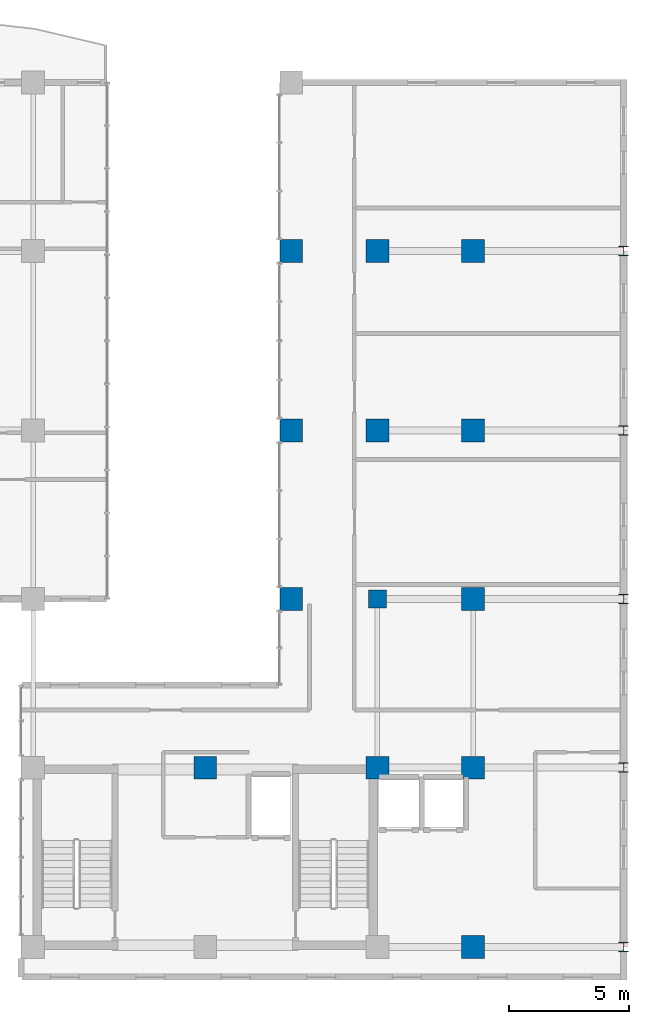
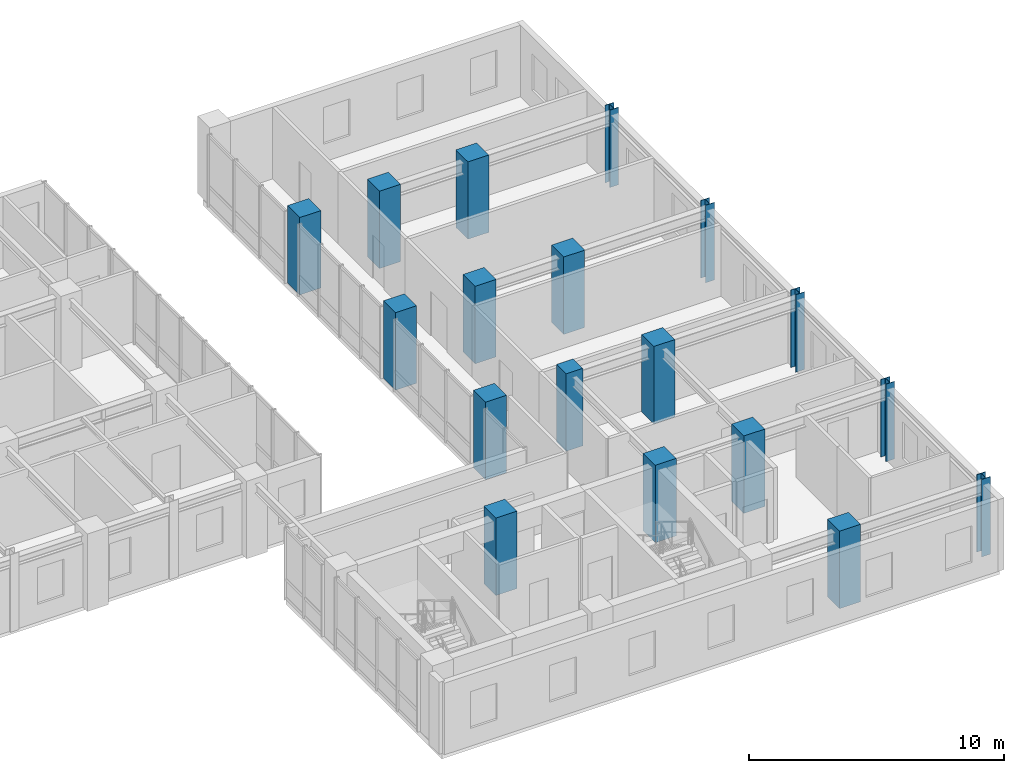
# One storey, part 2 of 24: 18 columns.
"""IFC4 building model written with IfcOpenShell, lengths in metres."""

from ifc_helpers import new_model, si_unit, direction, frame, origin, origin_2d, place, context, subcontext, project, spatial, rectangle, i_section, extrude, source, transform, mapped, material, material_profile, profile_set, type_object, element, save


model = new_model("IFC4")

# Units and contexts
model_context = context("Model", 3, precision=1e-05, world=origin(), true_north=direction((0.0, 1.0)))
body_context = subcontext(model_context, "Body", "Model", "MODEL_VIEW")
ifc_project = project(units=[si_unit("LENGTHUNIT", "METRE"), si_unit("AREAUNIT", "SQUARE_METRE"), si_unit("VOLUMEUNIT", "CUBIC_METRE"), si_unit("PLANEANGLEUNIT", "RADIAN"), si_unit("MASSUNIT", "GRAM", prefix="KILO")], contexts=[model_context])

# Site, building, storey
site_placement = place(None, origin())
site = spatial("IfcSite", under=ifc_project, at=site_placement, CompositionType="ELEMENT")
building_placement = place(site_placement, origin())
building = spatial("IfcBuilding", under=site, at=building_placement, Name="Kaliganga Portal Commons", CompositionType="ELEMENT")
storey_placement = place(building_placement, frame((0.0, 0.0, 238.800048828125)))
storey = spatial("IfcBuildingStorey", under=building, at=storey_placement, Name="L61", CompositionType="ELEMENT", Elevation=238.800048828125)

# Columns
ifc_material_1 = material(Name="Concrete C60/75", Category="concrete")
ifc_material_profile_1 = material_profile(ifc_material_1, rectangle(XDim=0.75, YDim=0.75, at=origin_2d()), Name="RC 750x750")
ifc_profile_set_1 = profile_set([ifc_material_profile_1], Name="Concrete C60/75")
column_type_1 = type_object("IfcColumnType", Name="COL-PILASTER-RC", PredefinedType="PILASTER", material=ifc_profile_set_1)
shared_shape_1 = source(origin(), body_context, "Body", "SweptSolid", [
    extrude(rectangle(XDim=0.75, YDim=0.75, at=origin_2d()), origin(), (0.0, 0.0, 1.0), 3.699951171875),
])
column_placement = place(storey_placement, frame((50.39990234375, 21.60009765625, 0.0), z_axis=(0.0, 0.0, 1.0), x_axis=(1.0, 0.0, 0.0)))
element("IfcColumn", 1, at=column_placement, inside=storey, type_object=column_type_1, Name="Column CP-01 L61", PredefinedType="PILASTER", context=body_context, shape_type="MappedRepresentation", body=[
    mapped(shared_shape_1, transform((0.0, 0.0, 0.0), x_axis=(1.0, 0.0, 0.0), y_axis=(0.0, 1.0, 0.0), z_axis=(0.0, 0.0, 1.0), scale=1.0)),
])
ifc_material_2 = material(Name="Concrete C50/60", Category="concrete")
ifc_material_profile_2 = material_profile(ifc_material_2, rectangle(XDim=0.949951171875, YDim=0.949951171875, at=origin_2d()), Name="RC 950x950")
ifc_profile_set_2 = profile_set([ifc_material_profile_2], Name="Concrete C50/60")
column_type_2 = type_object("IfcColumnType", Name="COL-MEGA-Z4", PredefinedType="COLUMN", material=ifc_profile_set_2)
shared_shape_2 = source(origin(), body_context, "Body", "SweptSolid", [
    extrude(rectangle(XDim=0.949951171875, YDim=0.949951171875, at=origin_2d()), origin(), (0.0, 0.0, 1.0), 3.699951171875),
])
for number, where, z_axis, x_axis, name in (
    (2, (46.800048828125, 21.60009765625, 0.0), (0.0, 0.0, 1.0), (1.0, 0.0, 0.0), "Column MC-05 L61"),
    (3, (46.800048828125, 28.64990234375, 0.0), (0.0, 0.0, 1.0), (1.0, 0.0, 0.0), "Column MC-05 L61"),
    (4, (46.800048828125, 36.14990234375, 0.0), (0.0, 0.0, 1.0), (1.0, 0.0, 0.0), "Column MC-05 L61"),
    (5, (43.199951171875, 14.550048828125, 0.0), (0.0, 0.0, 1.0), (1.0, 0.0, 0.0), "Column MC-05 L61"),
    (6, (50.39990234375, 14.550048828125, 0.0), (0.0, 0.0, 1.0), (1.0, 0.0, 0.0), "Column MC-05 L61"),
    (7, (50.39990234375, 28.64990234375, 0.0), (0.0, 0.0, 1.0), (1.0, 0.0, 0.0), "Column MC-05 L61"),
    (8, (50.39990234375, 36.14990234375, 0.0), (0.0, 0.0, 1.0), (1.0, 0.0, 0.0), "Column MC-05 L61"),
    (9, (54.39990234375, 7.050048828125, 0.0), (0.0, 0.0, 1.0), (1.0, 0.0, 0.0), "Column MC-05 L61"),
    (10, (54.39990234375, 14.550048828125, 0.0), (0.0, 0.0, 1.0), (1.0, 0.0, 0.0), "Column MC-05 L61"),
    (11, (54.39990234375, 21.60009765625, 0.0), (0.0, 0.0, 1.0), (1.0, 0.0, 0.0), "Column MC-05 L61"),
    (12, (54.39990234375, 28.64990234375, 0.0), (0.0, 0.0, 1.0), (1.0, 0.0, 0.0), "Column MC-05 L61"),
    (13, (54.39990234375, 36.14990234375, 0.0), (0.0, 0.0, 1.0), (1.0, 0.0, 0.0), "Column MC-05 L61"),
):
    element("IfcColumn", number, at=place(storey_placement, frame(where, z_axis=z_axis, x_axis=x_axis)), inside=storey, type_object=column_type_2, Name=name, PredefinedType="COLUMN", context=body_context, shape_type="MappedRepresentation", body=[
        mapped(shared_shape_2, transform((0.0, 0.0, 0.0), x_axis=(1.0, 0.0, 0.0), y_axis=(0.0, 1.0, 0.0), z_axis=(0.0, 0.0, 1.0), scale=1.0)),
    ])
ifc_material_3 = material(Name="Structural steel S355J2", Category="steel")
ifc_material_profile_3 = material_profile(ifc_material_3, i_section(OverallWidth=0.39892578125, OverallDepth=0.39990234375, WebThickness=0.017333984375, FlangeThickness=0.0234375, FilletRadius=0.014892578125, at=origin_2d()), Name="HD 400x287")
ifc_profile_set_3 = profile_set([ifc_material_profile_3], Name="Structural steel S355J2 wide-flange")
column_type_3 = type_object("IfcColumnType", Name="COL-TUBE-B4", PredefinedType="COLUMN", material=ifc_profile_set_3)
shared_shape_3 = source(origin(), body_context, "Body", "SweptSolid", [
    extrude(i_section(OverallWidth=0.39892578125, OverallDepth=0.39990234375, WebThickness=0.017333984375, FlangeThickness=0.0234375, FilletRadius=0.014892578125, at=origin_2d()), origin(), (0.0, 0.0, 1.0), 3.699951171875),
])
for number, where, z_axis, x_axis, name in (
    (14, (60.699951171875, 7.050048828125, 0.0), (0.0, 0.0, 1.0), (1.0, 0.0, 0.0), "Column TC-04 L61"),
    (15, (60.699951171875, 14.550048828125, 0.0), (0.0, 0.0, 1.0), (1.0, 0.0, 0.0), "Column TC-04 L61"),
    (16, (60.699951171875, 21.60009765625, 0.0), (0.0, 0.0, 1.0), (1.0, 0.0, 0.0), "Column TC-04 L61"),
    (17, (60.699951171875, 28.64990234375, 0.0), (0.0, 0.0, 1.0), (1.0, 0.0, 0.0), "Column TC-04 L61"),
    (18, (60.699951171875, 36.14990234375, 0.0), (0.0, 0.0, 1.0), (1.0, 0.0, 0.0), "Column TC-04 L61"),
):
    element("IfcColumn", number, at=place(storey_placement, frame(where, z_axis=z_axis, x_axis=x_axis)), inside=storey, type_object=column_type_3, Name=name, PredefinedType="COLUMN", context=body_context, shape_type="MappedRepresentation", body=[
        mapped(shared_shape_3, transform((0.0, 0.0, 0.0), x_axis=(1.0, 0.0, 0.0), y_axis=(0.0, 1.0, 0.0), z_axis=(0.0, 0.0, 1.0), scale=1.0)),
    ])

save(model, "model.ifc")
